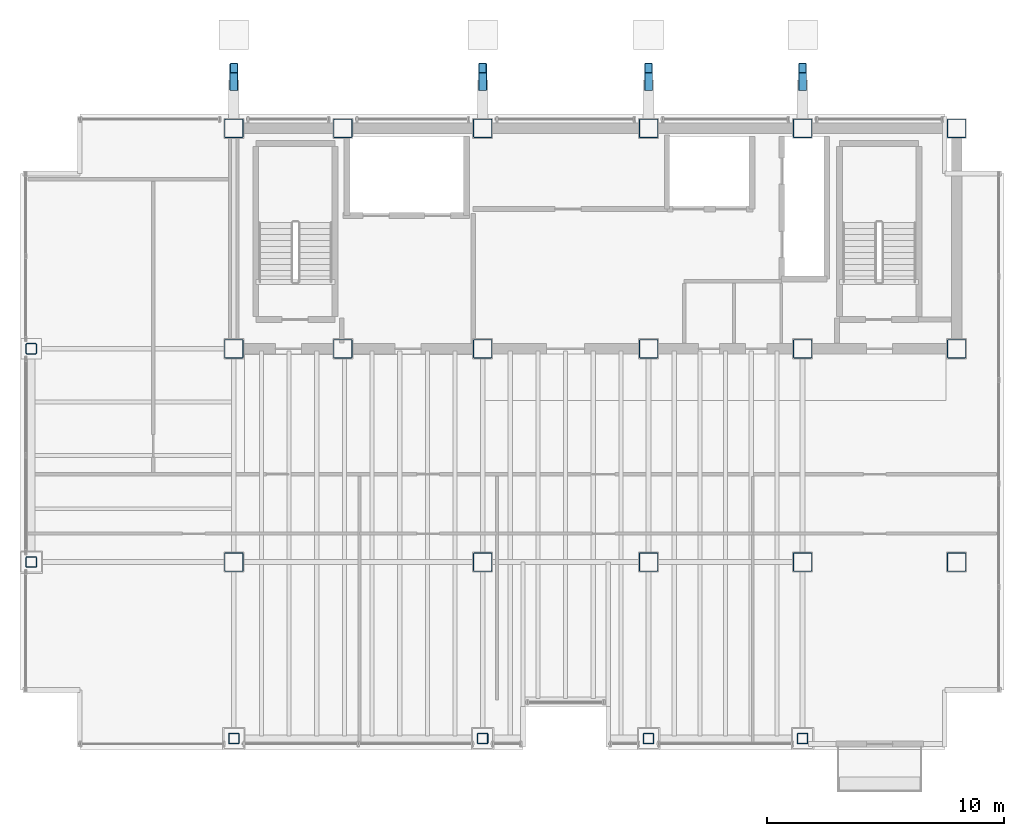
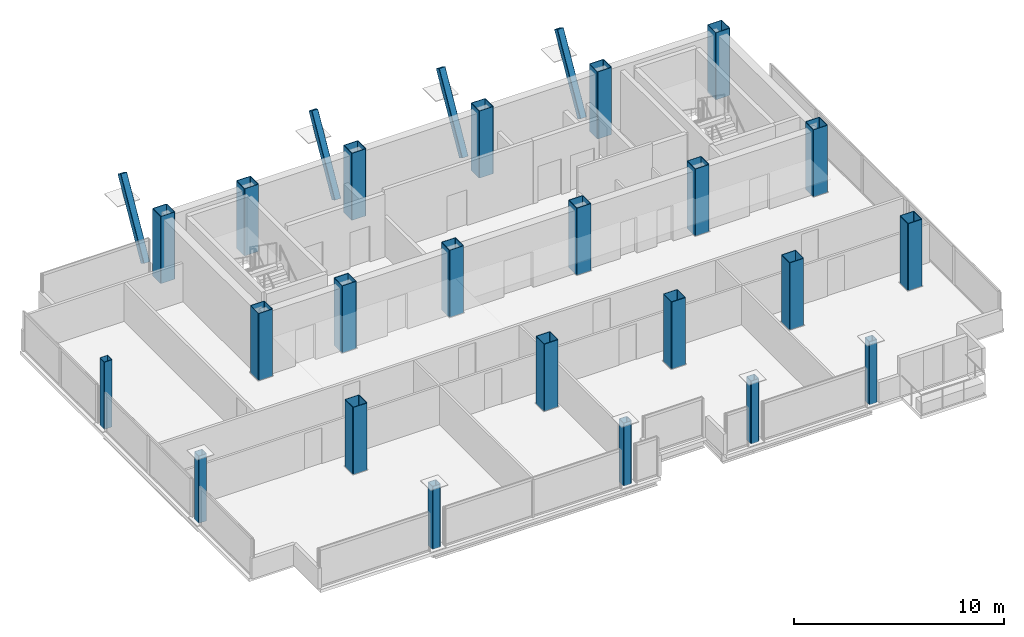
# One storey, part 1 of 16: 27 columns.
"""IFC4 building model written with IfcOpenShell, lengths in metres."""

import ifcopenshell
import ifcopenshell.guid

model = None  # the IFC model being written
_history = None  # IfcOwnerHistory: only IFC2X3 demands one
_inside = {}  # id of a spatial element -> (the spatial element, [elements in it])
_under = {}  # id of a project, library or spatial element -> (it, [spatial elements below it])
_declared = {}  # id of a project -> (the project, [libraries it declares])
_typed = {}  # id of a type object -> (the type object, [elements of that type])
_made_of = {}  # id of a material, layer set ... -> (it, [elements and type objects made of it])


def new_model(schema):
    """Start an empty IFC model of exactly this schema.

    Asked for "IFC4X3", IfcOpenShell would pick the latest addendum, in which some entities
    have other attributes; the version numbers below select the first issue.
    IFC2X3 requires an IfcOwnerHistory on every rooted entity: one is made here for all.
    """
    global model, _history
    if schema == "IFC4X3":
        model = ifcopenshell.file(schema_version=(4, 3, 0, 0))
    else:
        model = ifcopenshell.file(schema=schema)
    _inside.clear()
    _under.clear()
    _declared.clear()
    _typed.clear()
    _made_of.clear()
    _history = None
    if model.schema == "IFC2X3":
        org = make("IfcOrganization", Name="unknown")
        user = make(
            "IfcPersonAndOrganization",
            ThePerson=make("IfcPerson", FamilyName="unknown"),
            TheOrganization=org,
        )
        app = make(
            "IfcApplication",
            ApplicationDeveloper=org,
            Version="unknown",
            ApplicationFullName="unknown",
            ApplicationIdentifier="unknown",
        )
        _history = make(
            "IfcOwnerHistory",
            OwningUser=user,
            OwningApplication=app,
            ChangeAction="ADDED",
            CreationDate=0,
        )
    return model


def make(cls, **values):
    """One entity of the class cls with the attributes given. An attribute that is None is left unset."""
    return model.create_entity(
        cls, **{name: value for name, value in values.items() if value is not None}
    )


def rooted(cls, **values):
    """An entity with a GlobalId (a new one), such as an element, a storey or a relation."""
    return make(cls, GlobalId=ifcopenshell.guid.new(), OwnerHistory=_history, **values)


def si_unit(unit_type, name, prefix=None):
    """IfcSIUnit, for example si_unit("LENGTHUNIT", "METRE", prefix="MILLI")."""
    return make("IfcSIUnit", UnitType=unit_type, Prefix=prefix, Name=name)


def assignment(units):
    """IfcUnitAssignment: the units of a project."""
    return None if units is None else make("IfcUnitAssignment", Units=units)


def point(xyz):
    """IfcCartesianPoint."""
    return None if xyz is None else make("IfcCartesianPoint", Coordinates=xyz)


def direction(xyz):
    """IfcDirection."""
    return None if xyz is None else make("IfcDirection", DirectionRatios=xyz)


def frame(location, z_axis=None, x_axis=None):
    """IfcAxis2Placement3D, a coordinate frame: its origin and axes. An axis left out is left unset."""
    return make(
        "IfcAxis2Placement3D",
        Location=point(location),
        Axis=direction(z_axis),
        RefDirection=direction(x_axis),
    )


def frame_2d(location, x_axis=None):
    """IfcAxis2Placement2D, a coordinate frame in the plane: its origin and x axis."""
    return make(
        "IfcAxis2Placement2D", Location=point(location), RefDirection=direction(x_axis)
    )


def origin():
    """The frame at (0, 0, 0) with its axes left unset."""
    return frame((0.0, 0.0, 0.0))


def origin_2d():
    """The frame at (0, 0) in the plane with its x axis left unset."""
    return frame_2d((0.0, 0.0))


def place(relative_to, where):
    """IfcLocalPlacement: puts the frame where relative to a parent placement (None: the world)."""
    return make(
        "IfcLocalPlacement", PlacementRelTo=relative_to, RelativePlacement=where
    )


def context(
    kind, dimensions, precision=None, world=None, true_north=None, identifier=None
):
    """IfcGeometricRepresentationContext, for example the 3D "Model" context."""
    return make(
        "IfcGeometricRepresentationContext",
        ContextIdentifier=identifier,
        ContextType=kind,
        CoordinateSpaceDimension=dimensions,
        Precision=precision,
        WorldCoordinateSystem=world,
        TrueNorth=true_north,
    )


def subcontext(parent, identifier, kind, view, scale=None):
    """IfcGeometricRepresentationSubContext, for example "Body" below "Model"."""
    return make(
        "IfcGeometricRepresentationSubContext",
        ContextIdentifier=identifier,
        ContextType=kind,
        ParentContext=parent,
        TargetScale=scale,
        TargetView=view,
    )


def project(units=None, contexts=None):
    """IfcProject with its units and contexts."""
    return rooted(
        "IfcProject",
        Name="project",
        RepresentationContexts=contexts,
        UnitsInContext=assignment(units),
    )


def spatial(cls, under=None, at=None, **own):
    """A site, building, storey or space (cls), placed at a placement, below another one or the project."""
    s = rooted(cls, ObjectPlacement=at, **own)
    if under is not None:
        _under.setdefault(under.id(), (under, []))[1].append(s)
    return s


def profile(cls, at=None, kind="AREA", **sizes):
    """A parametric profile (cls). Its sizes go by their IFC names, for example OverallWidth=200.0."""
    return make(cls, ProfileType=kind, Position=at, **sizes)


def hollow_rectangle(**sizes):
    """IfcRectangleHollowProfileDef."""
    return profile("IfcRectangleHollowProfileDef", **sizes)


def extrude(swept, where, along, depth):
    """IfcExtrudedAreaSolid: the profile swept, set in the frame where, extruded along a direction by depth."""
    return make(
        "IfcExtrudedAreaSolid",
        SweptArea=swept,
        Position=where,
        ExtrudedDirection=direction(along),
        Depth=depth,
    )


def shape(context_of_items, identifier, shape_type, items):
    """IfcShapeRepresentation: the items that make up one representation, for example the "Body"."""
    return make(
        "IfcShapeRepresentation",
        ContextOfItems=context_of_items,
        RepresentationIdentifier=identifier,
        RepresentationType=shape_type,
        Items=items,
    )


def material(Name=None, Category=None):
    """IfcMaterial."""
    return make("IfcMaterial", Name=Name, Category=Category)


def material_profile(
    of_material, cross_section, Name=None, Category=None, Priority=None
):
    """IfcMaterialProfile: a cross section and its material."""
    return make(
        "IfcMaterialProfile",
        Name=Name,
        Material=of_material,
        Profile=cross_section,
        Priority=Priority,
        Category=Category,
    )


def profile_set(profiles, Name=None, composite=None):
    """IfcMaterialProfileSet."""
    return make(
        "IfcMaterialProfileSet",
        Name=Name,
        MaterialProfiles=profiles,
        CompositeProfile=composite,
    )


def made_of(thing, what):
    """Note that an element or type object is made of a material, layer set ...; save() writes the relation."""
    if what is not None:
        _made_of.setdefault(what.id(), (what, []))[1].append(thing)
    return thing


def type_object(cls, material=None, **own):
    """A type object (cls), such as IfcWallType, which elements share."""
    return made_of(rooted(cls, **own), material)


def element(
    cls,
    number,
    at=None,
    inside=None,
    cuts=None,
    type_object=None,
    material=None,
    context=None,
    identifier="Body",
    shape_type=None,
    held_by="IfcProductDefinitionShape",
    body=None,
    shapes=None,
    **own,
):
    """One element of the class cls, such as IfcWall. Its Tag is "e" and its number.

    at: its placement. inside: the storey or other place that contains it. cuts: it is an
    opening in that element (IfcRelVoidsElement). A single representation is given by context,
    identifier, shape_type and body (its items); several are given by shapes. held_by: the class
    of the entity that holds the representations. save() writes the other relations.
    """
    e = rooted(cls, Tag="e%d" % number, ObjectPlacement=at, **own)
    if body is not None:
        shapes = [shape(context, identifier, shape_type, body)]
    if shapes is not None:
        e.Representation = make(held_by, Representations=shapes)
    if inside is not None:
        _inside.setdefault(inside.id(), (inside, []))[1].append(e)
    if cuts is not None:
        rooted(
            "IfcRelVoidsElement", RelatingBuildingElement=cuts, RelatedOpeningElement=e
        )
    if type_object is not None:
        _typed.setdefault(type_object.id(), (type_object, []))[1].append(e)
    return made_of(e, material)


def aggregate(whole, parts):
    """IfcRelAggregates: a whole, such as a stair, and the parts it consists of."""
    return rooted("IfcRelAggregates", RelatingObject=whole, RelatedObjects=parts)


def save(model, path):
    """Write the relations noted so far, then the file.

    IfcRelAggregates (storeys below a building ...), IfcRelContainedInSpatialStructure (elements
    in a storey), IfcRelDefinesByType, IfcRelAssociatesMaterial and IfcRelDeclares: one each for
    every whole, place, type object, material and project.
    """
    for whole, parts in _under.values():
        aggregate(whole, parts)
    for where, things in _inside.values():
        rooted(
            "IfcRelContainedInSpatialStructure",
            RelatedElements=things,
            RelatingStructure=where,
        )
    for kind, things in _typed.values():
        rooted("IfcRelDefinesByType", RelatedObjects=things, RelatingType=kind)
    for what, things in _made_of.values():
        rooted("IfcRelAssociatesMaterial", RelatedObjects=things, RelatingMaterial=what)
    for by, libraries in _declared.values():
        rooted("IfcRelDeclares", RelatingContext=by, RelatedDefinitions=libraries)
    model.write(path)


model = new_model("IFC4")

# Units and contexts
model_context = context("Model", 3, precision=1e-05, world=origin(), true_north=direction((0.0, 1.0)))
body_context = subcontext(model_context, "Body", "Model", "MODEL_VIEW")
ifc_project = project(units=[si_unit("LENGTHUNIT", "METRE"), si_unit("AREAUNIT", "SQUARE_METRE"), si_unit("VOLUMEUNIT", "CUBIC_METRE"), si_unit("PLANEANGLEUNIT", "RADIAN"), si_unit("MASSUNIT", "GRAM", prefix="KILO")], contexts=[model_context])

# Site, building, storey
site_placement = place(None, origin())
site = spatial("IfcSite", under=ifc_project, at=site_placement, CompositionType="ELEMENT")
building_placement = place(site_placement, origin())
building = spatial("IfcBuilding", under=site, at=building_placement, Name="Noeulbin Bourse Tower", CompositionType="ELEMENT")
storey_placement = place(building_placement, frame((0.0, 0.0, 254.0)))
storey = spatial("IfcBuildingStorey", under=building, at=storey_placement, Name="L63", CompositionType="ELEMENT", Elevation=254.0)

# Columns
ifc_material = material(Name="Steel S355", Category="steel")
ifc_material_profile_1 = material_profile(ifc_material, hollow_rectangle(XDim=0.35009765625, YDim=0.35009765625, WallThickness=0.01611328125, InnerFilletRadius=0.01611328125, OuterFilletRadius=0.031982421875, at=origin_2d()), Name="SHS-350x350x16", Category="LoadBearing")
ifc_profile_set_1 = profile_set([ifc_material_profile_1], Name="Steel S355")
column_type_1 = type_object("IfcColumnType", Name="COL-CRN-Z5", PredefinedType="COLUMN", material=ifc_profile_set_1)
for number, where, z_axis, x_axis, name in (
    (1, (13.5, 40.050048828125, -0.199951171875), (0.0, 0.495174010207, 0.868793818818), (-1.0, 0.0, 0.0), "Exoskeleton Raking Prop Column L63-01"),
    (2, (24.0, 40.050048828125, -0.199951171875), (0.0, 0.495174010207, 0.868793818818), (-1.0, 0.0, 0.0), "Exoskeleton Raking Prop Column L63-02"),
    (3, (31.0, 40.050048828125, -0.199951171875), (0.0, 0.495174010207, 0.868793818818), (-1.0, 0.0, 0.0), "Exoskeleton Raking Prop Column L63-03"),
    (4, (37.5, 40.050048828125, -0.199951171875), (0.0, 0.495174010207, 0.868793818818), (-1.0, 0.0, 0.0), "Exoskeleton Raking Prop Column L63-04"),
):
    element("IfcColumn", number, at=place(storey_placement, frame(where, z_axis=z_axis, x_axis=x_axis)), inside=storey, type_object=column_type_1, Name=name, PredefinedType="COLUMN", context=body_context, shape_type="SweptSolid", body=[
        extrude(hollow_rectangle(XDim=0.35009765625, YDim=0.35009765625, WallThickness=0.01611328125, InnerFilletRadius=0.01611328125, OuterFilletRadius=0.031982421875, at=origin_2d()), origin(), (0.0, 0.0, 1.0), 4.44287109375),
    ])
ifc_material_profile_2 = material_profile(ifc_material, hollow_rectangle(XDim=0.449951171875, YDim=0.449951171875, WallThickness=0.02197265625, InnerFilletRadius=0.02197265625, OuterFilletRadius=0.0439453125, at=origin_2d()), Name="SHS-450x450x22", Category="LoadBearing")
ifc_profile_set_2 = profile_set([ifc_material_profile_2], Name="Steel S355")
column_type_2 = type_object("IfcColumnType", Name="COL-PER-Z3", PredefinedType="COLUMN", material=ifc_profile_set_2)
for number, where, z_axis, x_axis, name in (
    (5, (4.949951171875, 20.0, 0.0), (0.0, 0.0, 1.0), (1.0, 0.0, 0.0), "Tower Perimeter Column COL-PER-Z3 01"),
    (6, (4.949951171875, 29.0, 0.0), (0.0, 0.0, 1.0), (1.0, 0.0, 0.0), "Tower Perimeter Column COL-PER-Z3 02"),
):
    element("IfcColumn", number, at=place(storey_placement, frame(where, z_axis=z_axis, x_axis=x_axis)), inside=storey, type_object=column_type_2, Name=name, PredefinedType="COLUMN", context=body_context, shape_type="SweptSolid", body=[
        extrude(hollow_rectangle(XDim=0.449951171875, YDim=0.449951171875, WallThickness=0.02197265625, InnerFilletRadius=0.02197265625, OuterFilletRadius=0.0439453125, at=origin_2d()), origin(), (0.0, 0.0, 1.0), 3.89990234375),
    ])
for number, where, z_axis, x_axis, name in (
    (7, (13.5, 12.550048828125, 0.0), (0.0, 0.0, 1.0), (1.0, 0.0, 0.0), "Tower Perimeter Column COL-PER-Z3 03"),
    (8, (24.0, 12.550048828125, 0.0), (0.0, 0.0, 1.0), (1.0, 0.0, 0.0), "Tower Perimeter Column COL-PER-Z3 04"),
    (9, (31.0, 12.550048828125, 0.0), (0.0, 0.0, 1.0), (1.0, 0.0, 0.0), "Tower Perimeter Column COL-PER-Z3 05"),
    (10, (37.5, 12.550048828125, 0.0), (0.0, 0.0, 1.0), (1.0, 0.0, 0.0), "Tower Perimeter Column COL-PER-Z3 06"),
):
    element("IfcColumn", number, at=place(storey_placement, frame(where, z_axis=z_axis, x_axis=x_axis)), inside=storey, type_object=column_type_2, Name=name, PredefinedType="COLUMN", context=body_context, shape_type="SweptSolid", body=[
        extrude(hollow_rectangle(XDim=0.449951171875, YDim=0.449951171875, WallThickness=0.02197265625, InnerFilletRadius=0.02197265625, OuterFilletRadius=0.0439453125, at=origin_2d()), origin(), (0.0, 0.0, 1.0), 3.659912109375),
    ])
ifc_material_profile_3 = material_profile(ifc_material, hollow_rectangle(XDim=0.800048828125, YDim=0.800048828125, WallThickness=0.031982421875, InnerFilletRadius=0.01611328125, OuterFilletRadius=0.048095703125, at=origin_2d()), Name="BOX-800x800x32", Category="LoadBearing")
ifc_profile_set_3 = profile_set([ifc_material_profile_3], Name="Steel S355")
column_type_3 = type_object("IfcColumnType", Name="COL-TRK-Z3", PredefinedType="COLUMN", material=ifc_profile_set_3)
for number, where, z_axis, x_axis, name in (
    (11, (13.5, 29.0, 0.0), (0.0, 0.0, 1.0), (1.0, 0.0, 0.0), "Tower Trunk Mega-Column COL-TRK-Z3 01"),
    (12, (13.5, 38.300048828125, 0.0), (0.0, 0.0, 1.0), (1.0, 0.0, 0.0), "Tower Trunk Mega-Column COL-TRK-Z3 02"),
    (13, (18.10009765625, 29.0, 0.0), (0.0, 0.0, 1.0), (1.0, 0.0, 0.0), "Tower Trunk Mega-Column COL-TRK-Z3 03"),
    (14, (18.10009765625, 38.300048828125, 0.0), (0.0, 0.0, 1.0), (1.0, 0.0, 0.0), "Tower Trunk Mega-Column COL-TRK-Z3 04"),
    (15, (24.0, 29.0, 0.0), (0.0, 0.0, 1.0), (1.0, 0.0, 0.0), "Tower Trunk Mega-Column COL-TRK-Z3 05"),
    (16, (24.0, 38.300048828125, 0.0), (0.0, 0.0, 1.0), (1.0, 0.0, 0.0), "Tower Trunk Mega-Column COL-TRK-Z3 06"),
    (17, (31.0, 29.0, 0.0), (0.0, 0.0, 1.0), (1.0, 0.0, 0.0), "Tower Trunk Mega-Column COL-TRK-Z3 07"),
    (18, (31.0, 38.300048828125, 0.0), (0.0, 0.0, 1.0), (1.0, 0.0, 0.0), "Tower Trunk Mega-Column COL-TRK-Z3 08"),
    (19, (37.5, 29.0, 0.0), (0.0, 0.0, 1.0), (1.0, 0.0, 0.0), "Tower Trunk Mega-Column COL-TRK-Z3 09"),
    (20, (37.5, 38.300048828125, 0.0), (0.0, 0.0, 1.0), (1.0, 0.0, 0.0), "Tower Trunk Mega-Column COL-TRK-Z3 10"),
    (21, (44.0, 29.0, 0.0), (0.0, 0.0, 1.0), (1.0, 0.0, 0.0), "Tower Trunk Mega-Column COL-TRK-Z3 11"),
    (22, (44.0, 38.300048828125, 0.0), (0.0, 0.0, 1.0), (1.0, 0.0, 0.0), "Tower Trunk Mega-Column COL-TRK-Z3 12"),
    (23, (13.5, 20.0, 0.0), (0.0, 0.0, 1.0), (1.0, 0.0, 0.0), "Tower Trunk Mega-Column COL-TRK-Z3 13"),
    (24, (24.0, 20.0, 0.0), (0.0, 0.0, 1.0), (1.0, 0.0, 0.0), "Tower Trunk Mega-Column COL-TRK-Z3 14"),
    (25, (31.0, 20.0, 0.0), (0.0, 0.0, 1.0), (1.0, 0.0, 0.0), "Tower Trunk Mega-Column COL-TRK-Z3 15"),
    (26, (37.5, 20.0, 0.0), (0.0, 0.0, 1.0), (1.0, 0.0, 0.0), "Tower Trunk Mega-Column COL-TRK-Z3 16"),
    (27, (44.0, 20.0, 0.0), (0.0, 0.0, 1.0), (1.0, 0.0, 0.0), "Tower Trunk Mega-Column COL-TRK-Z3 17"),
):
    element("IfcColumn", number, at=place(storey_placement, frame(where, z_axis=z_axis, x_axis=x_axis)), inside=storey, type_object=column_type_3, Name=name, PredefinedType="COLUMN", context=body_context, shape_type="SweptSolid", body=[
        extrude(hollow_rectangle(XDim=0.800048828125, YDim=0.800048828125, WallThickness=0.031982421875, InnerFilletRadius=0.01611328125, OuterFilletRadius=0.048095703125, at=origin_2d()), origin(), (0.0, 0.0, 1.0), 3.89990234375),
    ])

save(model, "model.ifc")
